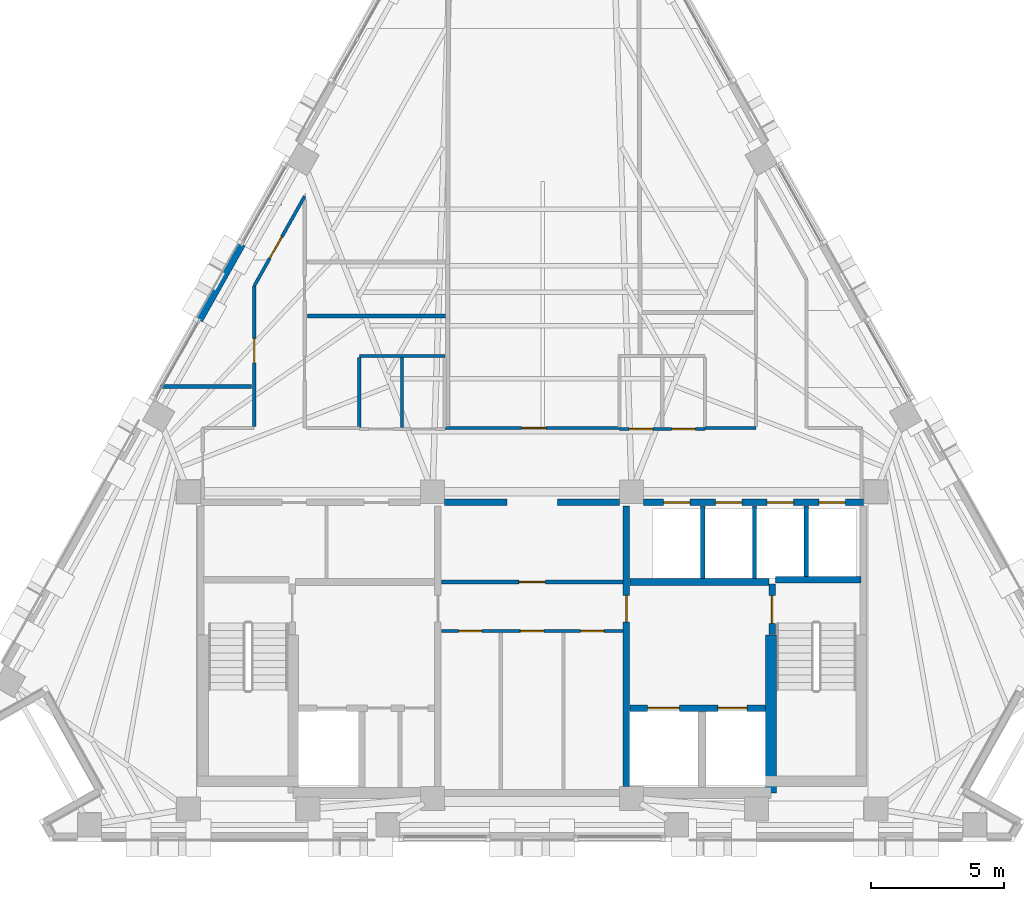
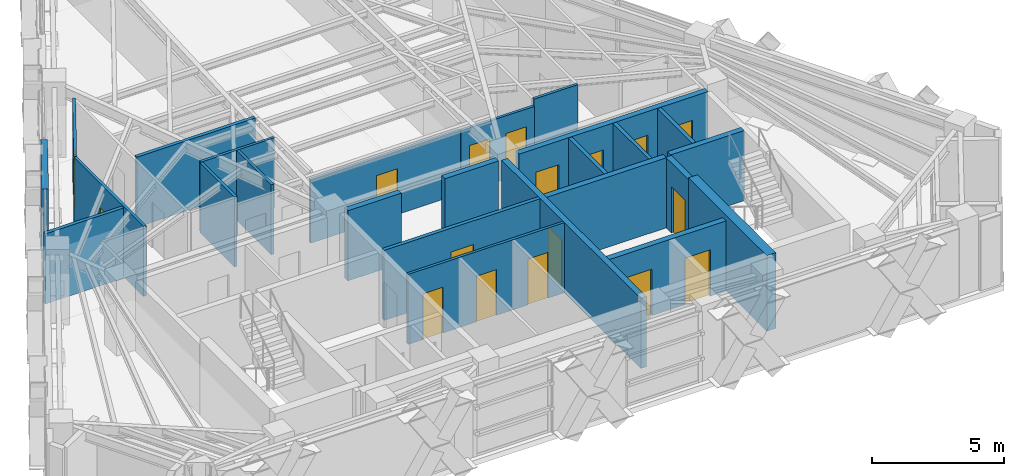
# One storey, part 8 of 13: 25 walls, 17 doors, 17 openings.
"""IFC4 building model written with IfcOpenShell, lengths in metres."""

from ifc_helpers import new_model, si_unit, direction, frame, frame_2d, origin, place, context, subcontext, project, spatial, rectangle, extrude, material, layer, layer_set, type_object, element, fill, save


model = new_model("IFC4")

# Units and contexts
model_context = context("Model", 3, precision=1e-05, world=origin(), true_north=direction((0.0, 1.0)))
body_context = subcontext(model_context, "Body", "Model", "MODEL_VIEW")
ifc_project = project(units=[si_unit("LENGTHUNIT", "METRE"), si_unit("AREAUNIT", "SQUARE_METRE"), si_unit("VOLUMEUNIT", "CUBIC_METRE"), si_unit("PLANEANGLEUNIT", "RADIAN"), si_unit("MASSUNIT", "GRAM", prefix="KILO")], contexts=[model_context])

# Site, building, storey
site_placement = place(None, origin())
site = spatial("IfcSite", under=ifc_project, at=site_placement, CompositionType="ELEMENT")
building_placement = place(site_placement, origin())
building = spatial("IfcBuilding", under=site, at=building_placement, Name="Quenlor Broadcast Tower", CompositionType="ELEMENT")
storey_placement = place(building_placement, frame((0.0, 0.0, 214.89990234375)))
storey = spatial("IfcBuildingStorey", under=building, at=storey_placement, Name="L59", CompositionType="ELEMENT", Elevation=214.89990234375)

# Walls
ifc_material_1 = material(Name="Acoustic Double Stud Gypsum Partition", Category="other")
ifc_layer_1 = layer(ifc_material_1, 0.14990234375)
ifc_layer_set_1 = layer_set([ifc_layer_1], Name="Broadcast Studio Acoustic Partition 150")
wall_type_1 = type_object("IfcWallType", Name="Broadcast Studio Acoustic Partition 150", PredefinedType="PARTITIONING", material=ifc_layer_set_1)
wall_1_placement = place(storey_placement, frame((-3.257080078125, 1.82421875, 0.0), z_axis=(0.0, 0.0, 1.0), x_axis=(-1.0, 0.0, 0.0)))
element("IfcWall", 1, at=wall_1_placement, inside=storey, type_object=wall_type_1, Name="L59 Interior Wall PW-DV-08", PredefinedType="PARTITIONING", context=body_context, shape_type="SweptSolid", body=[
    extrude(rectangle(XDim=5.202880859375, YDim=0.14990234375, at=frame_2d((2.6015625, 0.0))), origin(), (0.0, 0.0, 1.0), 3.25),
])
wall_2_placement = place(storey_placement, frame((-10.580078125, -0.832275390625, 0.0), z_axis=(0.0, 0.0, 1.0), x_axis=(-1.0, 0.0, 0.0)))
element("IfcWall", 2, at=wall_2_placement, inside=storey, type_object=wall_type_1, Name="L59 Interior Wall PW-DV-09", PredefinedType="PARTITIONING", context=body_context, shape_type="SweptSolid", body=[
    extrude(rectangle(XDim=3.41796875, YDim=0.14990234375, at=frame_2d((1.708984375, 0.0))), origin(), (0.0, 0.0, 1.0), 3.25),
])
ifc_material_2 = material(Name="Concrete C50/60", Category="concrete")
ifc_layer_2 = layer(ifc_material_2, 0.39990234375)
ifc_layer_set_2 = layer_set([ifc_layer_2], Name="Core Concrete C50/60 Shear Wall 400")
wall_type_2 = type_object("IfcWallType", Name="Core Concrete C50/60 Shear Wall 400", PredefinedType="SHEAR", material=ifc_layer_set_2)
wall_3_placement = place(storey_placement, frame((9.0, -16.14990234375, 0.0), z_axis=(0.0, 0.0, 1.0), x_axis=(0.0, 1.0, 0.0)))
element("IfcWall", 3, at=wall_3_placement, inside=storey, type_object=wall_type_2, Name="L59 Core Shear Wall WI-E", PredefinedType="SHEAR", context=body_context, shape_type="SweptSolid", body=[
    extrude(rectangle(XDim=5.949951171875, YDim=0.39990234375, at=frame_2d((2.97509765625, 0.0))), origin(), (0.0, 0.0, 1.0), 3.5),
])

# Wall, opening, door
ifc_material_3 = material(Name="Concrete C40/50", Category="concrete")
ifc_layer_3 = layer(ifc_material_3, 0.25)
ifc_layer_set_3 = layer_set([ifc_layer_3], Name="Fire Rated Concrete C40/50 Core Wall 250")
wall_type_3 = type_object("IfcWallType", Name="Fire Rated Concrete C40/50 Core Wall 250", PredefinedType="PARTITIONING", material=ifc_layer_set_3)
wall_4_placement = place(storey_placement, frame((9.0400390625, -10.179931640625, 0.0), z_axis=(0.0, 0.0, 1.0), x_axis=(0.0, 1.0, 0.0)))
wall_4 = element("IfcWall", 4, at=wall_4_placement, inside=storey, type_object=wall_type_3, Name="L59 Interior Wall CW-ST2-DR", PredefinedType="PARTITIONING", context=body_context, shape_type="SweptSolid", body=[
    extrude(rectangle(XDim=1.89990234375, YDim=0.25, at=frame_2d((0.949951171875, 0.0))), origin(), (0.0, 0.0, 1.0), 3.25),
])
opening_1_placement = place(wall_4_placement, frame((0.419921875, 0.0, 0.0)))
opening_1 = element("IfcOpeningElement", 5, at=opening_1_placement, cuts=wall_4, Name="Opening FD-1", PredefinedType="OPENING", context=body_context, shape_type="SweptSolid", body=[
    extrude(rectangle(XDim=1.050048828125, YDim=2.14990234375, at=frame_2d((0.52490234375, 1.074951171875))), frame((0.0, 0.135009765625, 0.0), z_axis=(0.0, -1.0, 0.0), x_axis=(1.0, 0.0, 0.0)), (0.0, 0.0, 1.0), 0.27001953125),
])
ifc_material_4 = material(Name="Fire Rated Steel Door Leaf", Category="steel")
door_type_1 = type_object("IfcDoorType", Name="Fire Isolated Stair Door 1050x2150", OperationType="NOTDEFINED", PredefinedType="DOOR", material=ifc_material_4)
door_1_placement = place(opening_1_placement, origin())
door_1 = element("IfcDoor", 6, at=door_1_placement, inside=storey, type_object=door_type_1, Name="L59 Door DR-ST2", OperationType="SINGLE_SWING_RIGHT", OverallHeight=2.14990234375, OverallWidth=1.050048828125, PredefinedType="DOOR", context=body_context, shape_type="SweptSolid", body=[
    extrude(rectangle(XDim=1.050048828125, YDim=2.14990234375, at=frame_2d((0.52490234375, 1.074951171875))), frame((0.0, 0.02490234375, 0.0), z_axis=(0.0, -1.0, 0.0), x_axis=(1.0, 0.0, 0.0)), (0.0, 0.0, 1.0), 0.050048828125),
])
fill(opening_1, door_1)

# Wall
wall_5_placement = place(storey_placement, frame((9.159912109375, -8.1201171875, 0.0), z_axis=(0.0, 0.0, 1.0), x_axis=(1.0, 0.0, 0.0)))
element("IfcWall", 7, at=wall_5_placement, inside=storey, type_object=wall_type_3, Name="L59 Interior Wall CW-ST2-N", PredefinedType="PARTITIONING", context=body_context, shape_type="SweptSolid", body=[
    extrude(rectangle(XDim=3.219970703125, YDim=0.25, at=frame_2d((1.60986328125, 0.0))), origin(), (0.0, 0.0, 1.0), 3.25),
])

# Wall, openings, doors
wall_6_placement = place(storey_placement, frame((3.679931640625, -12.949951171875, 0.0), z_axis=(0.0, 0.0, 1.0), x_axis=(1.0, 0.0, 0.0)))
wall_6 = element("IfcWall", 8, at=wall_6_placement, inside=storey, type_object=wall_type_3, Name="L59 Interior Wall CW-FFE-S", PredefinedType="PARTITIONING", context=body_context, shape_type="SweptSolid", body=[
    extrude(rectangle(XDim=5.1181640625, YDim=0.25, at=frame_2d((2.55908203125, 0.0))), origin(), (0.0, 0.0, 1.0), 3.25),
])
opening_2_placement = place(wall_6_placement, frame((3.320068359375, 0.0, 0.0)))
opening_2 = element("IfcOpeningElement", 9, at=opening_2_placement, cuts=wall_6, Name="Opening LD-FFL-2", PredefinedType="OPENING", context=body_context, shape_type="SweptSolid", body=[
    extrude(rectangle(XDim=1.10009765625, YDim=2.14990234375, at=frame_2d((0.550048828125, 1.074951171875))), frame((0.0, 0.135009765625, 0.0), z_axis=(0.0, -1.0, 0.0), x_axis=(1.0, 0.0, 0.0)), (0.0, 0.0, 1.0), 0.27001953125),
])
opening_3_placement = place(wall_6_placement, frame((0.669921875, 0.0, 0.0)))
opening_3 = element("IfcOpeningElement", 10, at=opening_3_placement, cuts=wall_6, Name="Opening LD-SVL-1", PredefinedType="OPENING", context=body_context, shape_type="SweptSolid", body=[
    extrude(rectangle(XDim=1.199951171875, YDim=2.14990234375, at=frame_2d((0.60009765625, 1.074951171875))), frame((0.0, 0.135009765625, 0.0), z_axis=(0.0, -1.0, 0.0), x_axis=(1.0, 0.0, 0.0)), (0.0, 0.0, 1.0), 0.27001953125),
])
ifc_material_5 = material(Name="Brushed Stainless Steel", Category="steel")
door_type_2 = type_object("IfcDoorType", Name="Emergency Lift Sliding Landing Door 1100x2150", OperationType="NOTDEFINED", PredefinedType="DOOR", material=ifc_material_5)
door_2_placement = place(opening_2_placement, origin())
door_2 = element("IfcDoor", 11, at=door_2_placement, inside=storey, type_object=door_type_2, Name="L59 Door LD-FFL-2", OperationType="SLIDING_TO_RIGHT", OverallHeight=2.14990234375, OverallWidth=1.10009765625, PredefinedType="DOOR", context=body_context, shape_type="SweptSolid", body=[
    extrude(rectangle(XDim=1.10009765625, YDim=2.14990234375, at=frame_2d((0.550048828125, 1.074951171875))), frame((0.0, 0.02490234375, 0.0), z_axis=(0.0, -1.0, 0.0), x_axis=(1.0, 0.0, 0.0)), (0.0, 0.0, 1.0), 0.050048828125),
])
fill(opening_2, door_2)
ifc_material_6 = material(Name="Brushed Stainless Steel", Category="steel")
door_type_3 = type_object("IfcDoorType", Name="Goods Lift Sliding Landing Door 1200x2150", OperationType="NOTDEFINED", PredefinedType="DOOR", material=ifc_material_6)
door_3_placement = place(opening_3_placement, origin())
door_3 = element("IfcDoor", 12, at=door_3_placement, inside=storey, type_object=door_type_3, Name="L59 Door LD-SVL-1", OperationType="SLIDING_TO_LEFT", OverallHeight=2.14990234375, OverallWidth=1.199951171875, PredefinedType="DOOR", context=body_context, shape_type="SweptSolid", body=[
    extrude(rectangle(XDim=1.199951171875, YDim=2.14990234375, at=frame_2d((0.60009765625, 1.074951171875))), frame((0.0, 0.02490234375, 0.0), z_axis=(0.0, -1.0, 0.0), x_axis=(1.0, 0.0, 0.0)), (0.0, 0.0, 1.0), 0.050048828125),
])
fill(opening_3, door_3)

# Wall
wall_7_placement = place(storey_placement, frame((3.679931640625, -8.199951171875, 0.0), z_axis=(0.0, 0.0, 1.0), x_axis=(1.0, 0.0, 0.0)))
element("IfcWall", 13, at=wall_7_placement, inside=storey, type_object=wall_type_3, Name="L59 Interior Wall CW-FFE-N", PredefinedType="PARTITIONING", context=body_context, shape_type="SweptSolid", body=[
    extrude(rectangle(XDim=5.239990234375, YDim=0.25, at=frame_2d((2.6201171875, 0.0))), origin(), (0.0, 0.0, 1.0), 3.25),
])

# Wall, opening, door
wall_8_placement = place(storey_placement, frame((3.550048828125, -15.89794921875, 0.0), z_axis=(0.0, 0.0, 1.0), x_axis=(0.0, 1.0, 0.0)))
wall_8 = element("IfcWall", 14, at=wall_8_placement, inside=storey, type_object=wall_type_3, Name="L59 Interior Wall CW-FFE-W", PredefinedType="PARTITIONING", context=body_context, shape_type="SweptSolid", body=[
    extrude(rectangle(XDim=10.557861328125, YDim=0.25, at=frame_2d((5.27880859375, 0.0))), origin(), (0.0, 0.0, 1.0), 3.25),
])
opening_4_placement = place(wall_8_placement, frame((6.197998046875, 0.0, 0.0)))
opening_4 = element("IfcOpeningElement", 15, at=opening_4_placement, cuts=wall_8, Name="Opening FD-2", PredefinedType="OPENING", context=body_context, shape_type="SweptSolid", body=[
    extrude(rectangle(XDim=1.0, YDim=2.14990234375, at=frame_2d((0.5, 1.074951171875))), frame((0.0, 0.135009765625, 0.0), z_axis=(0.0, -1.0, 0.0), x_axis=(1.0, 0.0, 0.0)), (0.0, 0.0, 1.0), 0.27001953125),
])
ifc_material_7 = material(Name="Fire Rated Glazed Steel Door", Category="steel")
door_type_4 = type_object("IfcDoorType", Name="Firefighting Lobby Smoke Door 1000x2150", OperationType="NOTDEFINED", PredefinedType="DOOR", material=ifc_material_7)
door_4_placement = place(opening_4_placement, origin())
door_4 = element("IfcDoor", 16, at=door_4_placement, inside=storey, type_object=door_type_4, Name="L59 Door DR-FFLE", OperationType="SINGLE_SWING_LEFT", OverallHeight=2.14990234375, OverallWidth=1.0, PredefinedType="DOOR", context=body_context, shape_type="SweptSolid", body=[
    extrude(rectangle(XDim=1.0, YDim=2.14990234375, at=frame_2d((0.5, 1.074951171875))), frame((0.0, 0.02490234375, 0.0), z_axis=(0.0, -1.0, 0.0), x_axis=(1.0, 0.0, 0.0)), (0.0, 0.0, 1.0), 0.050048828125),
])
fill(opening_4, door_4)

# Wall, openings, doors
wall_9_placement = place(storey_placement, frame((4.201904296875, -5.199951171875, 0.0), z_axis=(0.0, 0.0, 1.0), x_axis=(1.0, 0.0, 0.0)))
wall_9 = element("IfcWall", 17, at=wall_9_placement, inside=storey, type_object=wall_type_3, Name="L59 Interior Wall CW-N-E", PredefinedType="PARTITIONING", context=body_context, shape_type="SweptSolid", body=[
    extrude(rectangle(XDim=8.278076171875, YDim=0.25, at=frame_2d((4.13916015625, 0.0))), origin(), (0.0, 0.0, 1.0), 3.25),
])
opening_5_placement = place(wall_9_placement, frame((0.748046875, 0.0, 0.0)))
opening_5 = element("IfcOpeningElement", 18, at=opening_5_placement, cuts=wall_9, Name="Opening LD-PL-H1", PredefinedType="OPENING", context=body_context, shape_type="SweptSolid", body=[
    extrude(rectangle(XDim=1.0, YDim=2.14990234375, at=frame_2d((0.5, 1.074951171875))), frame((0.0, 0.135009765625, 0.0), z_axis=(0.0, -1.0, 0.0), x_axis=(1.0, 0.0, 0.0)), (0.0, 0.0, 1.0), 0.27001953125),
])
opening_6_placement = place(wall_9_placement, frame((2.697998046875, 0.0, 0.0)))
opening_6 = element("IfcOpeningElement", 19, at=opening_6_placement, cuts=wall_9, Name="Opening LD-PL-H2", PredefinedType="OPENING", context=body_context, shape_type="SweptSolid", body=[
    extrude(rectangle(XDim=1.0, YDim=2.14990234375, at=frame_2d((0.5, 1.074951171875))), frame((0.0, 0.135009765625, 0.0), z_axis=(0.0, -1.0, 0.0), x_axis=(1.0, 0.0, 0.0)), (0.0, 0.0, 1.0), 0.27001953125),
])
opening_7_placement = place(wall_9_placement, frame((4.64794921875, 0.0, 0.0)))
opening_7 = element("IfcOpeningElement", 20, at=opening_7_placement, cuts=wall_9, Name="Opening LD-PL-H3", PredefinedType="OPENING", context=body_context, shape_type="SweptSolid", body=[
    extrude(rectangle(XDim=1.0, YDim=2.14990234375, at=frame_2d((0.5, 1.074951171875))), frame((0.0, 0.135009765625, 0.0), z_axis=(0.0, -1.0, 0.0), x_axis=(1.0, 0.0, 0.0)), (0.0, 0.0, 1.0), 0.27001953125),
])
opening_8_placement = place(wall_9_placement, frame((6.597900390625, 0.0, 0.0)))
opening_8 = element("IfcOpeningElement", 21, at=opening_8_placement, cuts=wall_9, Name="Opening LD-PL-H4", PredefinedType="OPENING", context=body_context, shape_type="SweptSolid", body=[
    extrude(rectangle(XDim=1.0, YDim=2.14990234375, at=frame_2d((0.5, 1.074951171875))), frame((0.0, 0.135009765625, 0.0), z_axis=(0.0, -1.0, 0.0), x_axis=(1.0, 0.0, 0.0)), (0.0, 0.0, 1.0), 0.27001953125),
])
ifc_material_8 = material(Name="Brushed Stainless Steel", Category="steel")
door_type_5 = type_object("IfcDoorType", Name="Passenger Lift Sliding Landing Door 1000x2150", OperationType="NOTDEFINED", PredefinedType="DOOR", material=ifc_material_8)
door_5_placement = place(opening_5_placement, origin())
door_5 = element("IfcDoor", 22, at=door_5_placement, inside=storey, type_object=door_type_5, Name="L59 Door LD-PL-H1", OperationType="SLIDING_TO_RIGHT", OverallHeight=2.14990234375, OverallWidth=1.0, PredefinedType="DOOR", context=body_context, shape_type="SweptSolid", body=[
    extrude(rectangle(XDim=1.0, YDim=2.14990234375, at=frame_2d((0.5, 1.074951171875))), frame((0.0, 0.02490234375, 0.0), z_axis=(0.0, -1.0, 0.0), x_axis=(1.0, 0.0, 0.0)), (0.0, 0.0, 1.0), 0.050048828125),
])
fill(opening_5, door_5)
door_6_placement = place(opening_6_placement, origin())
door_6 = element("IfcDoor", 23, at=door_6_placement, inside=storey, type_object=door_type_5, Name="L59 Door LD-PL-H2", OperationType="SLIDING_TO_RIGHT", OverallHeight=2.14990234375, OverallWidth=1.0, PredefinedType="DOOR", context=body_context, shape_type="SweptSolid", body=[
    extrude(rectangle(XDim=1.0, YDim=2.14990234375, at=frame_2d((0.5, 1.074951171875))), frame((0.0, 0.02490234375, 0.0), z_axis=(0.0, -1.0, 0.0), x_axis=(1.0, 0.0, 0.0)), (0.0, 0.0, 1.0), 0.050048828125),
])
fill(opening_6, door_6)
door_7_placement = place(opening_7_placement, origin())
door_7 = element("IfcDoor", 24, at=door_7_placement, inside=storey, type_object=door_type_5, Name="L59 Door LD-PL-H3", OperationType="SLIDING_TO_RIGHT", OverallHeight=2.14990234375, OverallWidth=1.0, PredefinedType="DOOR", context=body_context, shape_type="SweptSolid", body=[
    extrude(rectangle(XDim=1.0, YDim=2.14990234375, at=frame_2d((0.5, 1.074951171875))), frame((0.0, 0.02490234375, 0.0), z_axis=(0.0, -1.0, 0.0), x_axis=(1.0, 0.0, 0.0)), (0.0, 0.0, 1.0), 0.050048828125),
])
fill(opening_7, door_7)
door_8_placement = place(opening_8_placement, origin())
door_8 = element("IfcDoor", 25, at=door_8_placement, inside=storey, type_object=door_type_5, Name="L59 Door LD-PL-H4", OperationType="SLIDING_TO_RIGHT", OverallHeight=2.14990234375, OverallWidth=1.0, PredefinedType="DOOR", context=body_context, shape_type="SweptSolid", body=[
    extrude(rectangle(XDim=1.0, YDim=2.14990234375, at=frame_2d((0.5, 1.074951171875))), frame((0.0, 0.02490234375, 0.0), z_axis=(0.0, -1.0, 0.0), x_axis=(1.0, 0.0, 0.0)), (0.0, 0.0, 1.0), 0.050048828125),
])
fill(opening_8, door_8)

# Walls
for number, where, z_axis, x_axis, name in (
    (26, (-3.298095703125, -5.199951171875, 0.0), (0.0, 0.0, 1.0), (1.0, 0.0, 0.0), "L59 Interior Wall CW-N-M1"),
    (27, (0.949951171875, -5.199951171875, 0.0), (0.0, 0.0, 1.0), (1.0, 0.0, 0.0), "L59 Interior Wall CW-N-M2"),
):
    element("IfcWall", number, at=place(storey_placement, frame(where, z_axis=z_axis, x_axis=x_axis)), inside=storey, type_object=wall_type_3, Name=name, PredefinedType="PARTITIONING", context=body_context, shape_type="SweptSolid", body=[
        extrude(rectangle(XDim=2.34814453125, YDim=0.25, at=frame_2d((1.174072265625, 0.0))), origin(), (0.0, 0.0, 1.0), 3.25),
    ])
ifc_material_9 = material(Name="Gypsum Fireboard Partition", Category="other")
ifc_layer_4 = layer(ifc_material_9, 0.159912109375)
ifc_layer_set_4 = layer_set([ifc_layer_4], Name="Fire Rated Shaft and Corridor Partition 160")
wall_type_4 = type_object("IfcWallType", Name="Fire Rated Shaft and Corridor Partition 160", PredefinedType="PARTITIONING", material=ifc_layer_set_4)
for number, where, z_axis, x_axis, name in (
    (28, (6.425048828125, -8.072998046875, 0.0), (0.0, 0.0, 1.0), (0.0, 1.0, 0.0), "L59 Interior Wall CW-PLH-D1"),
    (29, (8.375, -8.072998046875, 0.0), (0.0, 0.0, 1.0), (0.0, 1.0, 0.0), "L59 Interior Wall CW-PLH-D2"),
):
    element("IfcWall", number, at=place(storey_placement, frame(where, z_axis=z_axis, x_axis=x_axis)), inside=storey, type_object=wall_type_4, Name=name, PredefinedType="PARTITIONING", context=body_context, shape_type="SweptSolid", body=[
        extrude(rectangle(XDim=2.73291015625, YDim=0.159912109375, at=frame_2d((1.366455078125, 0.0))), origin(), (0.0, 0.0, 1.0), 3.25),
    ])
wall_10_placement = place(storey_placement, frame((10.324951171875, -7.992919921875, 0.0), z_axis=(0.0, 0.0, 1.0), x_axis=(0.0, 1.0, 0.0)))
element("IfcWall", 30, at=wall_10_placement, inside=storey, type_object=wall_type_4, Name="L59 Interior Wall CW-PLH-D3", PredefinedType="PARTITIONING", context=body_context, shape_type="SweptSolid", body=[
    extrude(rectangle(XDim=2.65283203125, YDim=0.159912109375, at=frame_2d((1.326416015625, 0.0))), origin(), (0.0, 0.0, 1.0), 3.25),
])

# Wall, opening, door
wall_11_placement = place(storey_placement, frame((-3.419921875, -8.199951171875, 0.0), z_axis=(0.0, 0.0, 1.0), x_axis=(1.0, 0.0, 0.0)))
wall_11 = element("IfcWall", 31, at=wall_11_placement, inside=storey, type_object=wall_type_4, Name="L59 Interior Wall CW-M-BACK", PredefinedType="PARTITIONING", context=body_context, shape_type="SweptSolid", body=[
    extrude(rectangle(XDim=6.83984375, YDim=0.159912109375, at=frame_2d((3.419921875, 0.0))), origin(), (0.0, 0.0, 1.0), 3.25),
])
opening_9_placement = place(wall_11_placement, frame((2.919921875, 0.0, 0.0)))
opening_9 = element("IfcOpeningElement", 32, at=opening_9_placement, cuts=wall_11, Name="Opening FD-2", PredefinedType="OPENING", context=body_context, shape_type="SweptSolid", body=[
    extrude(rectangle(XDim=1.0, YDim=2.14990234375, at=frame_2d((0.5, 1.074951171875))), frame((0.0, 0.08984375, 0.0), z_axis=(0.0, -1.0, 0.0), x_axis=(1.0, 0.0, 0.0)), (0.0, 0.0, 1.0), 0.179931640625),
])
door_9_placement = place(opening_9_placement, origin())
door_9 = element("IfcDoor", 33, at=door_9_placement, inside=storey, type_object=door_type_4, Name="L59 Door DR-CCRP", OperationType="SINGLE_SWING_LEFT", OverallHeight=2.14990234375, OverallWidth=1.0, PredefinedType="DOOR", context=body_context, shape_type="SweptSolid", body=[
    extrude(rectangle(XDim=1.0, YDim=2.14990234375, at=frame_2d((0.5, 1.074951171875))), frame((0.0, 0.02490234375, 0.0), z_axis=(0.0, -1.0, 0.0), x_axis=(1.0, 0.0, 0.0)), (0.0, 0.0, 1.0), 0.050048828125),
])
fill(opening_9, door_9)

# Wall, openings, doors
ifc_material_10 = material(Name="Gypsum Plasterboard Partition", Category="other")
ifc_layer_5 = layer(ifc_material_10, 0.1201171875)
ifc_layer_set_5 = layer_set([ifc_layer_5], Name="Standard Office Partition 120")
wall_type_5 = type_object("IfcWallType", Name="Standard Office Partition 120", PredefinedType="PARTITIONING", material=ifc_layer_set_5)
wall_12_placement = place(storey_placement, frame((-3.419921875, -10.050048828125, 0.0), z_axis=(0.0, 0.0, 1.0), x_axis=(1.0, 0.0, 0.0)))
wall_12 = element("IfcWall", 34, at=wall_12_placement, inside=storey, type_object=wall_type_5, Name="L59 Interior Wall CW-MS-N", PredefinedType="PARTITIONING", context=body_context, shape_type="SweptSolid", body=[
    extrude(rectangle(XDim=6.83984375, YDim=0.1201171875, at=frame_2d((3.419921875, 0.0))), origin(), (0.0, 0.0, 1.0), 3.25),
])
opening_10_placement = place(wall_12_placement, frame((0.64990234375, 0.0, 0.0)))
opening_10 = element("IfcOpeningElement", 35, at=opening_10_placement, cuts=wall_12, Name="Opening ID-4", PredefinedType="OPENING", context=body_context, shape_type="SweptSolid", body=[
    extrude(rectangle(XDim=0.8798828125, YDim=2.1201171875, at=frame_2d((0.43994140625, 1.06005859375))), frame((0.0, 0.070068359375, 0.0), z_axis=(0.0, -1.0, 0.0), x_axis=(1.0, 0.0, 0.0)), (0.0, 0.0, 1.0), 0.14013671875),
])
opening_11_placement = place(wall_12_placement, frame((2.97998046875, 0.0, 0.0)))
opening_11 = element("IfcOpeningElement", 36, at=opening_11_placement, cuts=wall_12, Name="Opening ID-4", PredefinedType="OPENING", context=body_context, shape_type="SweptSolid", body=[
    extrude(rectangle(XDim=0.8798828125, YDim=2.1201171875, at=frame_2d((0.43994140625, 1.06005859375))), frame((0.0, 0.070068359375, 0.0), z_axis=(0.0, -1.0, 0.0), x_axis=(1.0, 0.0, 0.0)), (0.0, 0.0, 1.0), 0.14013671875),
])
opening_12_placement = place(wall_12_placement, frame((5.25, 0.0, 0.0)))
opening_12 = element("IfcOpeningElement", 37, at=opening_12_placement, cuts=wall_12, Name="Opening ID-4", PredefinedType="OPENING", context=body_context, shape_type="SweptSolid", body=[
    extrude(rectangle(XDim=0.8798828125, YDim=2.1201171875, at=frame_2d((0.43994140625, 1.06005859375))), frame((0.0, 0.070068359375, 0.0), z_axis=(0.0, -1.0, 0.0), x_axis=(1.0, 0.0, 0.0)), (0.0, 0.0, 1.0), 0.14013671875),
])
ifc_material_11 = material(Name="Solid Core Timber Oak", Category="wood")
door_type_6 = type_object("IfcDoorType", Name="Service Closet Timber Door 880x2120", OperationType="NOTDEFINED", PredefinedType="DOOR", material=ifc_material_11)
door_10_placement = place(opening_10_placement, origin())
door_10 = element("IfcDoor", 38, at=door_10_placement, inside=storey, type_object=door_type_6, Name="L59 Door DR-RCMA", OperationType="SINGLE_SWING_LEFT", OverallHeight=2.1201171875, OverallWidth=0.8798828125, PredefinedType="DOOR", context=body_context, shape_type="SweptSolid", body=[
    extrude(rectangle(XDim=0.8798828125, YDim=2.1201171875, at=frame_2d((0.43994140625, 1.06005859375))), frame((0.0, 0.02490234375, 0.0), z_axis=(0.0, -1.0, 0.0), x_axis=(1.0, 0.0, 0.0)), (0.0, 0.0, 1.0), 0.050048828125),
])
fill(opening_10, door_10)
door_11_placement = place(opening_11_placement, origin())
door_11 = element("IfcDoor", 39, at=door_11_placement, inside=storey, type_object=door_type_6, Name="L59 Door DR-RCMV", OperationType="SINGLE_SWING_LEFT", OverallHeight=2.1201171875, OverallWidth=0.8798828125, PredefinedType="DOOR", context=body_context, shape_type="SweptSolid", body=[
    extrude(rectangle(XDim=0.8798828125, YDim=2.1201171875, at=frame_2d((0.43994140625, 1.06005859375))), frame((0.0, 0.02490234375, 0.0), z_axis=(0.0, -1.0, 0.0), x_axis=(1.0, 0.0, 0.0)), (0.0, 0.0, 1.0), 0.050048828125),
])
fill(opening_11, door_11)
door_12_placement = place(opening_12_placement, origin())
door_12 = element("IfcDoor", 40, at=door_12_placement, inside=storey, type_object=door_type_6, Name="L59 Door DR-RCMB", OperationType="SINGLE_SWING_RIGHT", OverallHeight=2.1201171875, OverallWidth=0.8798828125, PredefinedType="DOOR", context=body_context, shape_type="SweptSolid", body=[
    extrude(rectangle(XDim=0.8798828125, YDim=2.1201171875, at=frame_2d((0.43994140625, 1.06005859375))), frame((0.0, 0.02490234375, 0.0), z_axis=(0.0, -1.0, 0.0), x_axis=(1.0, 0.0, 0.0)), (0.0, 0.0, 1.0), 0.050048828125),
])
fill(opening_12, door_12)

# Walls
wall_13_placement = place(storey_placement, frame((-6.510009765625, 0.31005859375, 0.0), z_axis=(0.0, 0.0, 1.0), x_axis=(1.0, 0.0, 0.0)))
element("IfcWall", 41, at=wall_13_placement, inside=storey, type_object=wall_type_5, Name="L59 Interior Wall PW-WCW-N", PredefinedType="PARTITIONING", context=body_context, shape_type="SweptSolid", body=[
    extrude(rectangle(XDim=3.219970703125, YDim=0.1201171875, at=frame_2d((1.60986328125, 0.0))), origin(), (0.0, 0.0, 1.0), 3.25),
])
for number, where, z_axis, x_axis, name in (
    (42, (-6.510009765625, -2.3779296875, 0.0), (0.0, 0.0, 1.0), (0.0, 1.0, 0.0), "L59 Interior Wall PW-WCW-W"),
    (43, (-4.89990234375, -2.3779296875, 0.0), (0.0, 0.0, 1.0), (0.0, 1.0, 0.0), "L59 Interior Wall PW-WCW-M"),
):
    element("IfcWall", number, at=place(storey_placement, frame(where, z_axis=z_axis, x_axis=x_axis)), inside=storey, type_object=wall_type_5, Name=name, PredefinedType="PARTITIONING", context=body_context, shape_type="SweptSolid", body=[
        extrude(rectangle(XDim=2.6259765625, YDim=0.1201171875, at=frame_2d((1.31298828125, 0.0))), origin(), (0.0, 0.0, 1.0), 3.25),
    ])

# Wall, openings, doors
wall_14_placement = place(storey_placement, frame((3.2900390625, -2.43994140625, 0.0), z_axis=(0.0, 0.0, 1.0), x_axis=(1.0, 0.0, 0.0)))
wall_14 = element("IfcWall", 44, at=wall_14_placement, inside=storey, type_object=wall_type_5, Name="L59 Interior Wall PW-WCE-S", PredefinedType="PARTITIONING", context=body_context, shape_type="SweptSolid", body=[
    extrude(rectangle(XDim=3.219970703125, YDim=0.1201171875, at=frame_2d((1.60986328125, 0.0))), origin(), (0.0, 0.0, 1.0), 2.94287109375),
])
opening_13_placement = place(wall_14_placement, frame((0.360107421875, 0.0, 0.0)))
opening_13 = element("IfcOpeningElement", 45, at=opening_13_placement, cuts=wall_14, Name="Opening ID-3", PredefinedType="OPENING", context=body_context, shape_type="SweptSolid", body=[
    extrude(rectangle(XDim=0.89990234375, YDim=2.1201171875, at=frame_2d((0.449951171875, 1.06005859375))), frame((0.0, 0.070068359375, 0.0), z_axis=(0.0, -1.0, 0.0), x_axis=(1.0, 0.0, 0.0)), (0.0, 0.0, 1.0), 0.14013671875),
])
opening_14_placement = place(wall_14_placement, frame((1.9599609375, 0.0, 0.0)))
opening_14 = element("IfcOpeningElement", 46, at=opening_14_placement, cuts=wall_14, Name="Opening ID-3", PredefinedType="OPENING", context=body_context, shape_type="SweptSolid", body=[
    extrude(rectangle(XDim=0.89990234375, YDim=2.1201171875, at=frame_2d((0.449951171875, 1.06005859375))), frame((0.0, 0.070068359375, 0.0), z_axis=(0.0, -1.0, 0.0), x_axis=(1.0, 0.0, 0.0)), (0.0, 0.0, 1.0), 0.14013671875),
])
ifc_material_12 = material(Name="Moisture Resistant Timber Oak", Category="wood")
door_type_7 = type_object("IfcDoorType", Name="Washroom Privacy Door 900x2120", OperationType="NOTDEFINED", PredefinedType="DOOR", material=ifc_material_12)
door_13_placement = place(opening_13_placement, origin())
door_13 = element("IfcDoor", 47, at=door_13_placement, inside=storey, type_object=door_type_7, Name="L59 Door DR-MWC", OperationType="SINGLE_SWING_LEFT", OverallHeight=2.1201171875, OverallWidth=0.89990234375, PredefinedType="DOOR", context=body_context, shape_type="SweptSolid", body=[
    extrude(rectangle(XDim=0.89990234375, YDim=2.1201171875, at=frame_2d((0.449951171875, 1.06005859375))), frame((0.0, 0.02490234375, 0.0), z_axis=(0.0, -1.0, 0.0), x_axis=(1.0, 0.0, 0.0)), (0.0, 0.0, 1.0), 0.050048828125),
])
fill(opening_13, door_13)
door_14_placement = place(opening_14_placement, origin())
door_14 = element("IfcDoor", 48, at=door_14_placement, inside=storey, type_object=door_type_7, Name="L59 Door DR-FWC", OperationType="SINGLE_SWING_RIGHT", OverallHeight=2.1201171875, OverallWidth=0.89990234375, PredefinedType="DOOR", context=body_context, shape_type="SweptSolid", body=[
    extrude(rectangle(XDim=0.89990234375, YDim=2.1201171875, at=frame_2d((0.449951171875, 1.06005859375))), frame((0.0, 0.02490234375, 0.0), z_axis=(0.0, -1.0, 0.0), x_axis=(1.0, 0.0, 0.0)), (0.0, 0.0, 1.0), 0.050048828125),
])
fill(opening_14, door_14)

# Wall, opening, door
wall_15_placement = place(storey_placement, frame((-10.469970703125, -2.337890625, 0.0), z_axis=(0.0, 0.0, 1.0), x_axis=(0.0, 1.0, 0.0)))
wall_15 = element("IfcWall", 49, at=wall_15_placement, inside=storey, type_object=wall_type_5, Name="L59 Interior Wall PW-CR-03", PredefinedType="PARTITIONING", context=body_context, shape_type="SweptSolid", body=[
    extrude(rectangle(XDim=5.289306640625, YDim=0.1201171875, at=frame_2d((2.64453125, 0.0))), origin(), (0.0, 0.0, 1.0), 3.25),
])
opening_15_placement = place(wall_15_placement, frame((2.39697265625, 0.0, 0.0)))
opening_15 = element("IfcOpeningElement", 50, at=opening_15_placement, cuts=wall_15, Name="Opening ID-1", PredefinedType="OPENING", context=body_context, shape_type="SweptSolid", body=[
    extrude(rectangle(XDim=0.919921875, YDim=2.1201171875, at=frame_2d((0.4599609375, 1.06005859375))), frame((0.0, 0.070068359375, 0.0), z_axis=(0.0, -1.0, 0.0), x_axis=(1.0, 0.0, 0.0)), (0.0, 0.0, 1.0), 0.14013671875),
])
ifc_material_13 = material(Name="Solid Core Timber Oak", Category="wood")
door_type_8 = type_object("IfcDoorType", Name="Single Leaf Timber Office Door 920x2120", OperationType="NOTDEFINED", PredefinedType="DOOR", material=ifc_material_13)
door_15_placement = place(opening_15_placement, origin())
door_15 = element("IfcDoor", 51, at=door_15_placement, inside=storey, type_object=door_type_8, Name="L59 Door DR-RM05", OperationType="SINGLE_SWING_RIGHT", OverallHeight=2.1201171875, OverallWidth=0.919921875, PredefinedType="DOOR", context=body_context, shape_type="SweptSolid", body=[
    extrude(rectangle(XDim=0.919921875, YDim=2.1201171875, at=frame_2d((0.4599609375, 1.06005859375))), frame((0.0, 0.02490234375, 0.0), z_axis=(0.0, -1.0, 0.0), x_axis=(1.0, 0.0, 0.0)), (0.0, 0.0, 1.0), 0.050048828125),
])
fill(opening_15, door_15)

wall_16_placement = place(storey_placement, frame((-10.468994140625, 2.953369140625, 0.0), z_axis=(0.0, 0.0, 1.0), x_axis=(0.490276203052, 0.871567120032, 0.0)))
wall_16 = element("IfcWall", 52, at=wall_16_placement, inside=storey, type_object=wall_type_5, Name="L59 Interior Wall PW-CR-04", PredefinedType="PARTITIONING", context=body_context, shape_type="SweptSolid", body=[
    extrude(rectangle(XDim=3.873291015625, YDim=0.1201171875, at=frame_2d((1.9365234375, 0.0))), origin(), (0.0, 0.0, 1.0), 3.25),
])
opening_16_placement = place(wall_16_placement, frame((1.202880859375, 0.0, 0.0)))
opening_16 = element("IfcOpeningElement", 53, at=opening_16_placement, cuts=wall_16, Name="Opening ID-1", PredefinedType="OPENING", context=body_context, shape_type="SweptSolid", body=[
    extrude(rectangle(XDim=0.919921875, YDim=2.1201171875, at=frame_2d((0.4599609375, 1.06005859375))), frame((0.0, 0.070068359375, 0.0), z_axis=(0.0, -1.0, 0.0), x_axis=(1.0, 0.0, 0.0)), (0.0, 0.0, 1.0), 0.14013671875),
])
door_16_placement = place(opening_16_placement, origin())
door_16 = element("IfcDoor", 54, at=door_16_placement, inside=storey, type_object=door_type_8, Name="L59 Door DR-RM01", OperationType="SINGLE_SWING_RIGHT", OverallHeight=2.1201171875, OverallWidth=0.919921875, PredefinedType="DOOR", context=body_context, shape_type="SweptSolid", body=[
    extrude(rectangle(XDim=0.919921875, YDim=2.1201171875, at=frame_2d((0.4599609375, 1.06005859375))), frame((0.0, 0.02490234375, 0.0), z_axis=(0.0, -1.0, 0.0), x_axis=(1.0, 0.0, 0.0)), (0.0, 0.0, 1.0), 0.050048828125),
])
fill(opening_16, door_16)

wall_17_placement = place(storey_placement, frame((-3.2880859375, -2.39990234375, 0.0), z_axis=(0.0, 0.0, 1.0), x_axis=(1.0, 0.0, 0.0)))
wall_17 = element("IfcWall", 55, at=wall_17_placement, inside=storey, type_object=wall_type_5, Name="L59 Interior Wall PW-CR-06S2", PredefinedType="PARTITIONING", context=body_context, shape_type="SweptSolid", body=[
    extrude(rectangle(XDim=6.576171875, YDim=0.1201171875, at=frame_2d((3.2880859375, 0.0))), origin(), (0.0, 0.0, 1.0), 2.94287109375),
])
opening_17_placement = place(wall_17_placement, frame((2.89306640625, 0.0, 0.0)))
opening_17 = element("IfcOpeningElement", 56, at=opening_17_placement, cuts=wall_17, Name="Opening ID-1", PredefinedType="OPENING", context=body_context, shape_type="SweptSolid", body=[
    extrude(rectangle(XDim=0.919921875, YDim=2.1201171875, at=frame_2d((0.4599609375, 1.06005859375))), frame((0.0, 0.070068359375, 0.0), z_axis=(0.0, -1.0, 0.0), x_axis=(1.0, 0.0, 0.0)), (0.0, 0.0, 1.0), 0.14013671875),
])
door_17_placement = place(opening_17_placement, origin())
door_17 = element("IfcDoor", 57, at=door_17_placement, inside=storey, type_object=door_type_8, Name="L59 Door DR-RM02", OperationType="SINGLE_SWING_LEFT", OverallHeight=2.1201171875, OverallWidth=0.919921875, PredefinedType="DOOR", context=body_context, shape_type="SweptSolid", body=[
    extrude(rectangle(XDim=0.919921875, YDim=2.1201171875, at=frame_2d((0.4599609375, 1.06005859375))), frame((0.0, 0.02490234375, 0.0), z_axis=(0.0, -1.0, 0.0), x_axis=(1.0, 0.0, 0.0)), (0.0, 0.0, 1.0), 0.050048828125),
])
fill(opening_17, door_17)

# Walls
wall_18_placement = place(storey_placement, frame((6.511962890625, -2.39990234375, 0.0), z_axis=(0.0, 0.0, 1.0), x_axis=(1.0, 0.0, 0.0)))
element("IfcWall", 58, at=wall_18_placement, inside=storey, type_object=wall_type_5, Name="L59 Interior Wall PW-CR-06S3", PredefinedType="PARTITIONING", context=body_context, shape_type="SweptSolid", body=[
    extrude(rectangle(XDim=1.91796875, YDim=0.1201171875, at=frame_2d((0.958984375, 0.0))), origin(), (0.0, 0.0, 1.0), 3.25),
])
ifc_material_14 = material(Name="Precast concrete C40/50", Category="concrete")
ifc_layer_6 = layer(ifc_material_14, 0.260009765625)
ifc_layer_set_6 = layer_set([ifc_layer_6], Name="Terracotta Precast Concrete C40/50 Upper Wall 260")
wall_type_6 = type_object("IfcWallType", Name="Terracotta Precast Concrete C40/50 Upper Wall 260", PredefinedType="STANDARD", material=ifc_layer_set_6)
wall_19_placement = place(storey_placement, frame((-12.53466796875, 1.6572265625, 0.0), z_axis=(0.0, 0.0, 1.0), x_axis=(0.490264765862, 0.871573553611, 0.0)))
element("IfcWall", 59, at=wall_19_placement, inside=storey, type_object=wall_type_6, Name="L59 Exterior Wall L59-NW-SP1", PredefinedType="STANDARD", context=body_context, shape_type="SweptSolid", body=[
    extrude(rectangle(XDim=3.287109375, YDim=0.260009765625, at=frame_2d((1.6435546875, 0.0))), origin(), (0.0, 0.0, 1.0), 3.25),
])

save(model, "model.ifc")
